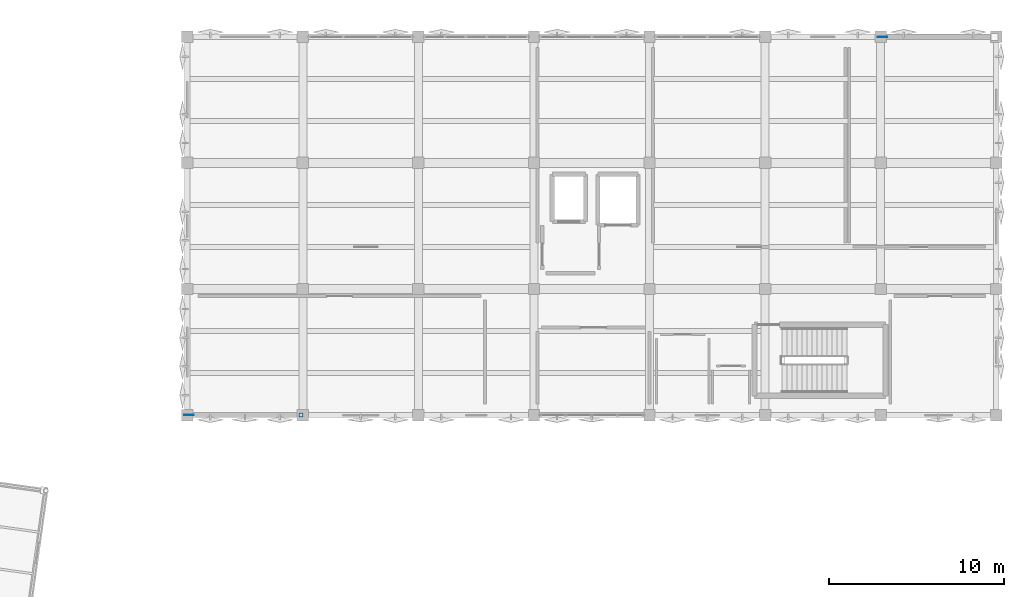
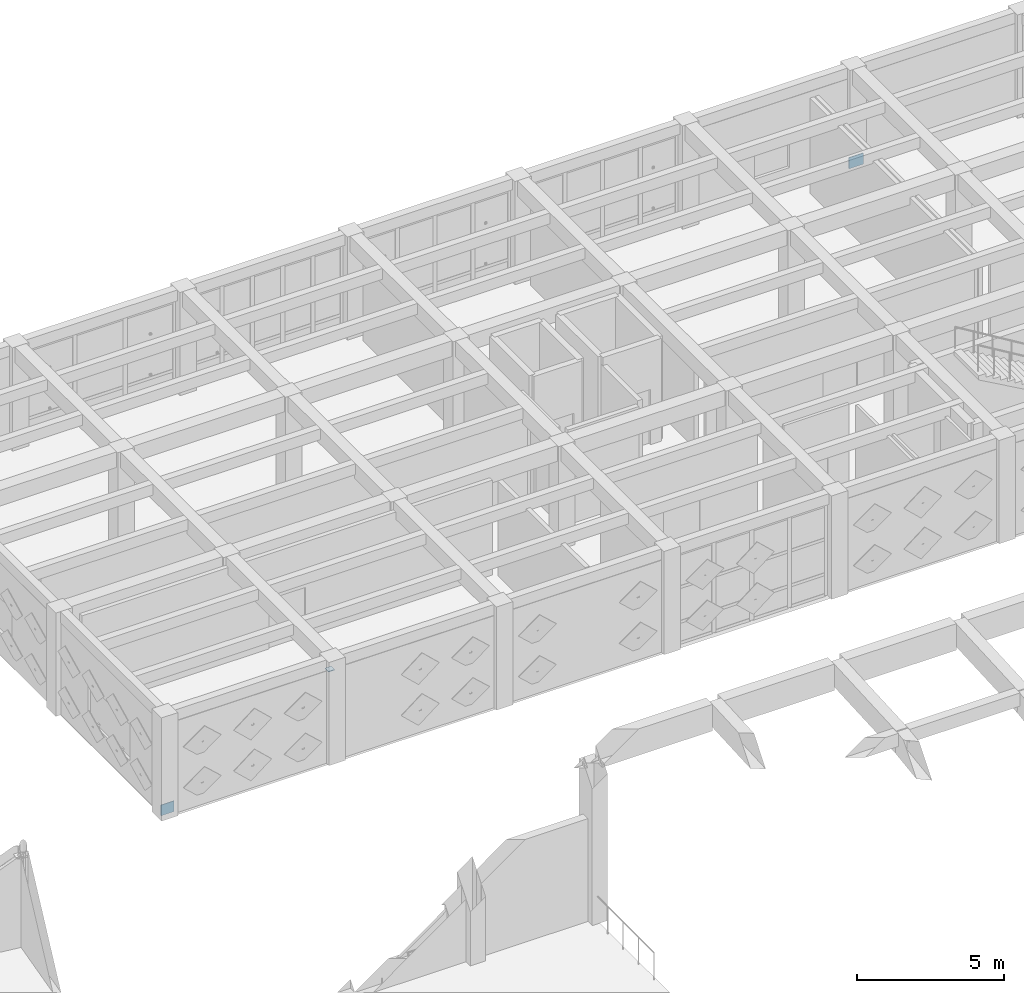
# One storey, part 52 of 67: 3 plates.
"""IFC4 building model written with IfcOpenShell, lengths in metres."""

from ifc_helpers import new_model, si_unit, direction, frame, origin, origin_2d, place, context, subcontext, project, spatial, rectangle, extrude, material, layer, layer_set, type_object, element, save


model = new_model("IFC4")

# Units and contexts
model_context = context("Model", 3, precision=1e-05, world=origin(), true_north=direction((0.0, 1.0)))
body_context = subcontext(model_context, "Body", "Model", "MODEL_VIEW")
ifc_project = project(units=[si_unit("LENGTHUNIT", "METRE"), si_unit("AREAUNIT", "SQUARE_METRE"), si_unit("VOLUMEUNIT", "CUBIC_METRE"), si_unit("PLANEANGLEUNIT", "RADIAN"), si_unit("MASSUNIT", "GRAM", prefix="KILO")], contexts=[model_context])

# Site, building, storey
site_placement = place(None, origin())
site = spatial("IfcSite", under=ifc_project, at=site_placement, CompositionType="ELEMENT")
building_placement = place(site_placement, origin())
building = spatial("IfcBuilding", under=site, at=building_placement, Name="Kharisveld Research Institute", CompositionType="ELEMENT")
storey_placement = place(building_placement, frame((0.0, 0.0, 9.60009765625)))
storey = spatial("IfcBuildingStorey", under=building, at=storey_placement, Name="L02", CompositionType="ELEMENT", Elevation=9.60009765625)

# Plates
ifc_material_1 = material(Name="Steel S355JR", Category="steel")
ifc_layer_1 = layer(ifc_material_1, 0.02587890625)
ifc_layer_set_1 = layer_set([ifc_layer_1], Name="PL_CAP_D")
plate_type_1 = type_object("IfcPlateType", Name="PL_CAP_D", PredefinedType="SHEET", material=ifc_layer_set_1)
plate_1_placement = place(storey_placement, frame((121.10009765625, 39.199951171875, 3.737060546875), z_axis=(0.0, 0.0, 1.0), x_axis=(1.0, 0.0, 0.0)))
element("IfcPlate", 1, at=plate_1_placement, inside=storey, type_object=plate_type_1, Name="PLT:V2:L02:CAP_0_0", PredefinedType="SHEET", context=body_context, shape_type="SweptSolid", body=[
    extrude(rectangle(XDim=0.239990234375, YDim=0.239990234375, at=origin_2d()), origin(), (0.0, 0.0, 1.0), 0.02587890625),
])
ifc_material_2 = material(Name="Steel S355JR", Category="steel")
ifc_layer_2 = layer(ifc_material_2, 0.028076171875)
ifc_layer_set_2 = layer_set([ifc_layer_2], Name="PL_GUS_D")
plate_type_2 = type_object("IfcPlateType", Name="PL_GUS_D", PredefinedType="USERDEFINED", material=ifc_layer_set_2)
plate_2_placement = place(storey_placement, frame((114.699951171875, 39.199951171875, -0.02001953125), z_axis=(0.0, 0.0, 1.0), x_axis=(1.0, 0.0, 0.0)))
element("IfcPlate", 2, at=plate_2_placement, inside=storey, type_object=plate_type_2, Name="PLT:V2:L02:GUS_0_0", ObjectType="GUSSET PLATE", PredefinedType="USERDEFINED", context=body_context, shape_type="SweptSolid", body=[
    extrude(rectangle(XDim=0.52001953125, YDim=0.028076171875, at=origin_2d()), origin(), (0.0, 0.0, 1.0), 0.43994140625),
])
ifc_material_3 = material(Name="Steel S355JR", Category="steel")
ifc_layer_3 = layer(ifc_material_3, 0.031982421875)
ifc_layer_set_3 = layer_set([ifc_layer_3], Name="PL_GUS_E")
plate_type_3 = type_object("IfcPlateType", Name="PL_GUS_E", PredefinedType="USERDEFINED", material=ifc_layer_set_3)
plate_3_placement = place(storey_placement, frame((154.300048828125, 60.800048828125, -0.030029296875), z_axis=(0.0, 0.0, 1.0), x_axis=(1.0, 0.0, 0.0)))
element("IfcPlate", 3, at=plate_3_placement, inside=storey, type_object=plate_type_3, Name="PLT:V2:L02:GUS_6_3", ObjectType="GUSSET PLATE", PredefinedType="USERDEFINED", context=body_context, shape_type="SweptSolid", body=[
    extrude(rectangle(XDim=0.56005859375, YDim=0.031982421875, at=origin_2d()), origin(), (0.0, 0.0, 1.0), 0.4599609375),
])

save(model, "model.ifc")
